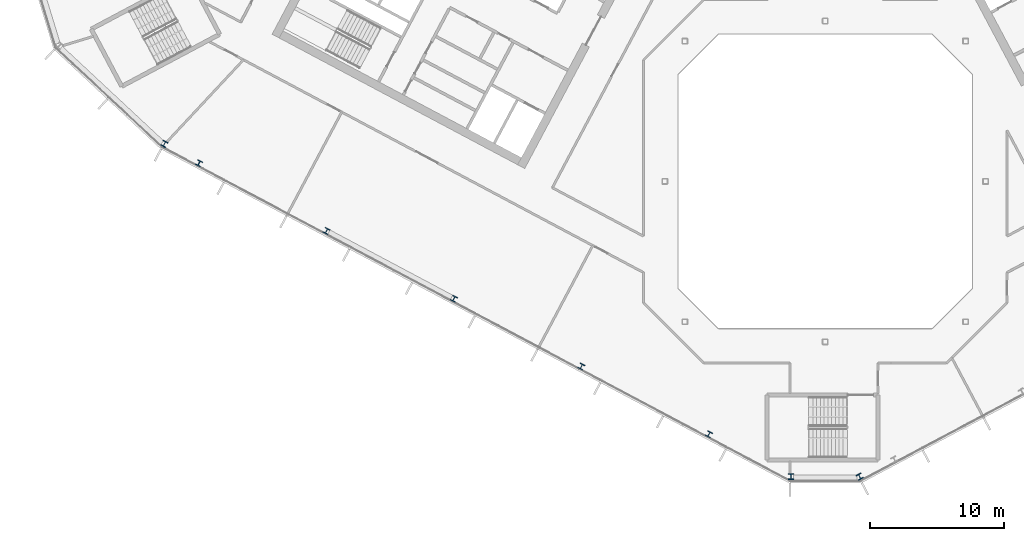
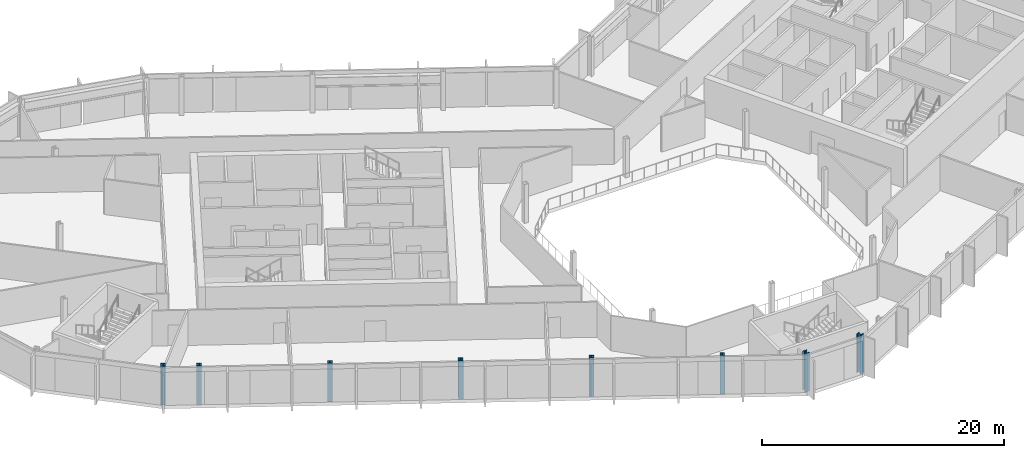
# One storey, part 1 of 26: 8 columns.
"""IFC4 building model written with IfcOpenShell, lengths in metres."""

from ifc_helpers import new_model, si_unit, direction, frame, origin, origin_2d, place, context, subcontext, project, spatial, i_section, extrude, material, material_profile, profile_set, type_object, element, save


model = new_model("IFC4")

# Units and contexts
model_context = context("Model", 3, precision=1e-05, world=origin(), true_north=direction((0.0, 1.0)))
body_context = subcontext(model_context, "Body", "Model", "MODEL_VIEW")
ifc_project = project(units=[si_unit("LENGTHUNIT", "METRE"), si_unit("AREAUNIT", "SQUARE_METRE"), si_unit("VOLUMEUNIT", "CUBIC_METRE"), si_unit("PLANEANGLEUNIT", "RADIAN"), si_unit("MASSUNIT", "GRAM", prefix="KILO")], contexts=[model_context])

# Site, building, storey
site_placement = place(None, origin())
site = spatial("IfcSite", under=ifc_project, at=site_placement, CompositionType="ELEMENT")
building_placement = place(site_placement, origin())
building = spatial("IfcBuilding", under=site, at=building_placement, Name="Cormorant Relay Tower", CompositionType="ELEMENT")
storey_placement = place(building_placement, frame((0.0, 0.0, 244.199951171875)))
storey = spatial("IfcBuildingStorey", under=building, at=storey_placement, Name="L54", CompositionType="ELEMENT", Elevation=244.199951171875)

# Columns
ifc_material_1 = material(Name="Steel ASTM A992 (Fy 345 MPa)", Category="steel")
ifc_material_profile_1 = material_profile(ifc_material_1, i_section(OverallWidth=0.40380859375, OverallDepth=0.406494140625, WebThickness=0.027099609375, FlangeThickness=0.043701171875, FilletRadius=0.01513671875, at=origin_2d()), Name="W360x347")
ifc_profile_set_1 = profile_set([ifc_material_profile_1], Name="Steel ASTM A992 (Fy 345 MPa)")
column_type_1 = type_object("IfcColumnType", Name="Column W360x347", PredefinedType="COLUMN", material=ifc_profile_set_1)
for number, where, z_axis, x_axis, name in (
    (1, (-8.700927734375, -18.919921875, 0.0), (0.0, 0.0, 1.0), (0.882947592859, -0.469471562786, 0.0), "Column L54-004"),
    (2, (-18.237060546875, -13.85009765625, 0.0), (0.0, 0.0, 1.0), (0.882947592859, -0.469471562786, 0.0), "Column L54-006"),
    (3, (-27.77197265625, -8.779052734375, 0.0), (0.0, 0.0, 1.0), (0.882947592859, -0.469471562786, 0.0), "Column L54-011"),
    (4, (-37.30810546875, -3.708984375, 0.0), (0.0, 0.0, 1.0), (0.882947592859, -0.469471562786, 0.0), "Column L54-013"),
    (5, (-46.843994140625, 1.361083984375, 0.0), (0.0, 0.0, 1.0), (0.882947592859, -0.469471562786, 0.0), "Column L54-017"),
):
    element("IfcColumn", number, at=place(storey_placement, frame(where, z_axis=z_axis, x_axis=x_axis)), inside=storey, type_object=column_type_1, Name=name, PredefinedType="COLUMN", context=body_context, shape_type="SweptSolid", body=[
        extrude(i_section(OverallWidth=0.40380859375, OverallDepth=0.406494140625, WebThickness=0.027099609375, FlangeThickness=0.043701171875, FilletRadius=0.01513671875, at=origin_2d()), origin(), (0.0, 0.0, 1.0), 3.900146484375),
    ])
ifc_material_2 = material(Name="Steel ASTM A992 (Fy 345 MPa)", Category="steel")
ifc_material_profile_2 = material_profile(ifc_material_2, i_section(OverallWidth=0.41162109375, OverallDepth=0.434326171875, WebThickness=0.035888671875, FlangeThickness=0.057373046875, FilletRadius=0.01513671875, at=origin_2d()), Name="W360x463")
ifc_profile_set_2 = profile_set([ifc_material_profile_2], Name="Steel ASTM A992 (Fy 345 MPa)")
column_type_2 = type_object("IfcColumnType", Name="Column W360x463", PredefinedType="COLUMN", material=ifc_profile_set_2)
for number, where, z_axis, x_axis, name in (
    (6, (-2.575927734375, -22.083984375, 0.0), (0.0, 0.0, 1.0), (1.0, 0.0, 0.0), "Column L54-001"),
    (7, (2.575927734375, -22.083984375, 0.0), (0.0, 0.0, 1.0), (0.882947592859, 0.469471562786, 0.0), "Column L54-002"),
    (8, (-49.43505859375, 2.803955078125, 0.0), (0.0, 0.0, 1.0), (0.882947592859, -0.469471562786, 0.0), "Column L54-018"),
):
    element("IfcColumn", number, at=place(storey_placement, frame(where, z_axis=z_axis, x_axis=x_axis)), inside=storey, type_object=column_type_2, Name=name, PredefinedType="COLUMN", context=body_context, shape_type="SweptSolid", body=[
        extrude(i_section(OverallWidth=0.41162109375, OverallDepth=0.434326171875, WebThickness=0.035888671875, FlangeThickness=0.057373046875, FilletRadius=0.01513671875, at=origin_2d()), origin(), (0.0, 0.0, 1.0), 3.900146484375),
    ])

save(model, "model.ifc")
